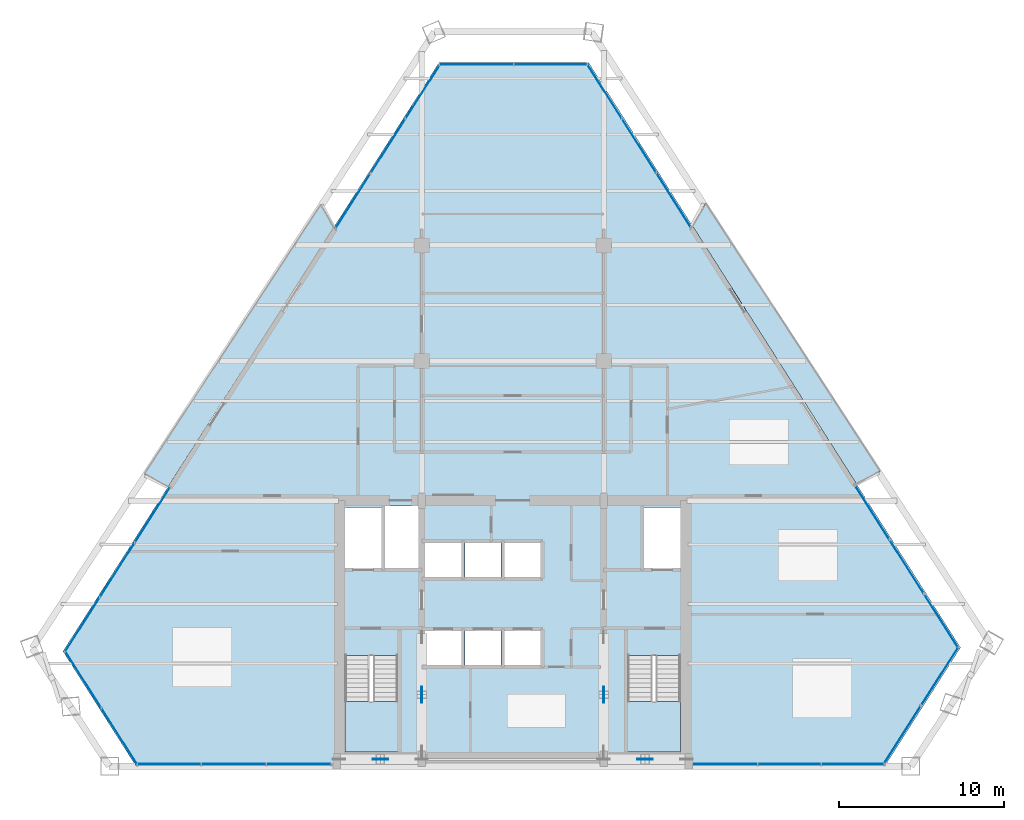
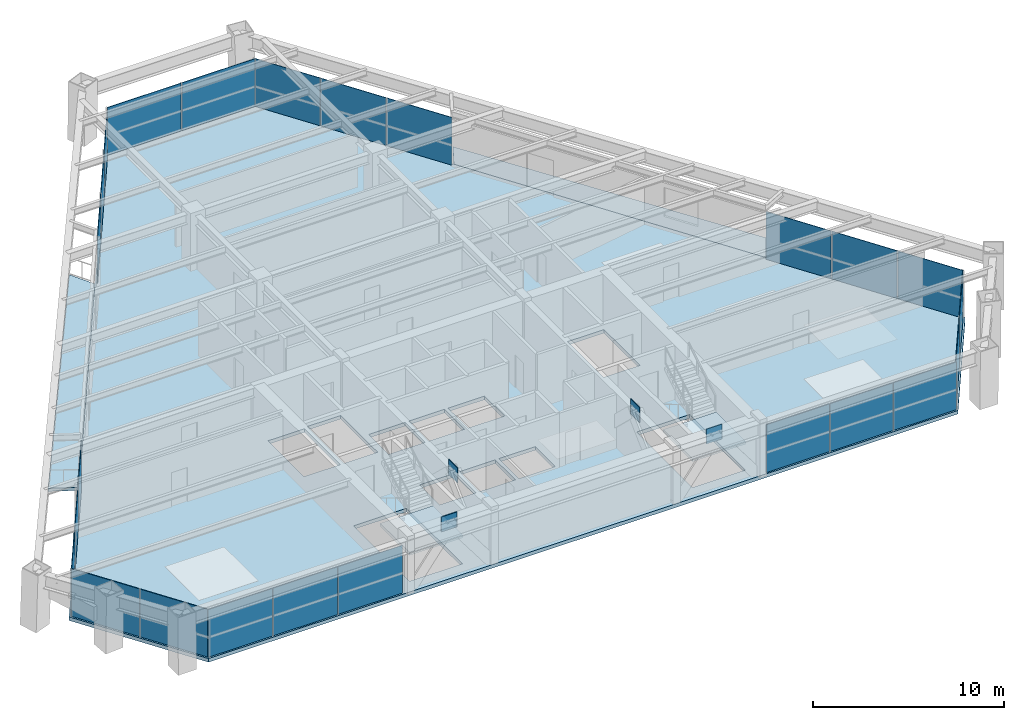
# One storey, part 10 of 15: 28 plates, 5 slabs, 11 elements without a shape of their own.
"""IFC4 building model written with IfcOpenShell, lengths in metres."""

from ifc_helpers import new_model, si_unit, direction, frame, origin, origin_2d, place, context, subcontext, project, spatial, polyline, rectangle, outline, extrude, source, transform, mapped, material, layer, layer_set, type_object, element, aggregate, save


model = new_model("IFC4")

# Units and contexts
model_context = context("Model", 3, precision=1e-05, world=origin(), true_north=direction((0.0, 1.0)))
body_context = subcontext(model_context, "Body", "Model", "MODEL_VIEW")
ifc_project = project(units=[si_unit("LENGTHUNIT", "METRE"), si_unit("AREAUNIT", "SQUARE_METRE"), si_unit("VOLUMEUNIT", "CUBIC_METRE"), si_unit("PLANEANGLEUNIT", "RADIAN"), si_unit("MASSUNIT", "GRAM", prefix="KILO")], contexts=[model_context])

# Site, building, storey
site_placement = place(None, origin())
site = spatial("IfcSite", under=ifc_project, at=site_placement, CompositionType="ELEMENT")
building_placement = place(site_placement, origin())
building = spatial("IfcBuilding", under=site, at=building_placement, Name="Varnakhor Terracotta Tower", CompositionType="ELEMENT")
storey_placement = place(building_placement, frame((0.0, 0.0, 158.89990234375)))
storey = spatial("IfcBuildingStorey", under=building, at=storey_placement, Name="L40", CompositionType="ELEMENT", Elevation=158.89990234375)

# Stair, slab
ifc_material_1 = material(Name="Concrete C40/50", Category="concrete")
stair_type = type_object("IfcStairType", Name="STR-CORE-OFFICE-1500", PredefinedType="HALF_TURN_STAIR", material=ifc_material_1)
stair_1_placement = place(storey_placement, origin())
stair_1 = element("IfcStair", 1, at=stair_1_placement, inside=storey, type_object=stair_type, Name="L40 Core Exit Stair ST-1", PredefinedType="HALF_TURN_STAIR")
ifc_layer_1 = layer(ifc_material_1, 0.179931640625, Name="Concrete C40/50")
ifc_layer_set_1 = layer_set([ifc_layer_1], Name="Concrete C40/50")
slab_type_1 = type_object("IfcSlabType", Name="SLB-LANDING-180", PredefinedType="LANDING", material=ifc_layer_set_1)
slab_1_placement = place(storey_placement, frame((0.0, 0.0, 1.650146484375)))
slab_1 = element("IfcSlab", 2, at=slab_1_placement, type_object=slab_type_1, Name="ST-1 landing 1", PredefinedType="LANDING", context=body_context, shape_type="SweptSolid", body=[
    extrude(outline(polyline([(-10.14990234375, 3.909912109375), (-10.14990234375, 0.85009765625), (-6.949951171875, 0.85009765625), (-6.949951171875, 3.909912109375), (-10.14990234375, 3.909912109375)])), origin(), (0.0, 0.0, 1.0), 0.199951171875),
])
aggregate(stair_1, [slab_1])

stair_2_placement = place(storey_placement, origin())
stair_2 = element("IfcStair", 3, at=stair_2_placement, inside=storey, type_object=stair_type, Name="L40 Core Exit Stair ST-2", PredefinedType="HALF_TURN_STAIR")
slab_2_placement = place(storey_placement, frame((0.0, 0.0, 1.650146484375)))
slab_2 = element("IfcSlab", 4, at=slab_2_placement, type_object=slab_type_1, Name="ST-2 landing 1", PredefinedType="LANDING", context=body_context, shape_type="SweptSolid", body=[
    extrude(outline(polyline([(6.949951171875, 3.909912109375), (6.949951171875, 0.85009765625), (10.14990234375, 0.85009765625), (10.14990234375, 3.909912109375), (6.949951171875, 3.909912109375)])), origin(), (0.0, 0.0, 1.0), 0.199951171875),
])
aggregate(stair_2, [slab_2])

# Slabs
ifc_layer_2 = layer(ifc_material_1, 0.195068359375, Name="Concrete C40/50")
ifc_layer_set_2 = layer_set([ifc_layer_2], Name="Concrete C40/50")
slab_type_2 = type_object("IfcSlabType", Name="SLB-LOGGIA-EXT-195", PredefinedType="FLOOR", material=ifc_layer_set_2)
slab_3_placement = place(storey_placement, frame((0.0, 0.0, -0.19482421875)))
element("IfcSlab", 5, at=slab_3_placement, inside=storey, type_object=slab_type_2, Name="L40 E Recessed Outdoor Loggia Slab", PredefinedType="FLOOR", context=body_context, shape_type="SweptSolid", body=[
    extrude(outline(polyline([(11.6455078125, 34.05712890625), (22.228759765625, 17.818115234375), (20.785400390625, 17.078857421875), (10.8916015625, 32.643798828125), (11.6455078125, 34.05712890625)])), origin(), (0.0, 0.0, 1.0), 0.19482421875),
])
slab_4_placement = place(storey_placement, frame((0.0, 0.0, -0.19482421875)))
element("IfcSlab", 6, at=slab_4_placement, inside=storey, type_object=slab_type_2, Name="L40 W Recessed Outdoor Loggia Slab", PredefinedType="FLOOR", context=body_context, shape_type="SweptSolid", body=[
    extrude(outline(polyline([(-22.2861328125, 17.649658203125), (-11.58740234375, 33.99169921875), (-10.830810546875, 32.5810546875), (-20.835693359375, 16.917236328125), (-22.2861328125, 17.649658203125)])), origin(), (0.0, 0.0, 1.0), 0.19482421875),
])
ifc_layer_3 = layer(ifc_material_1, 0.22998046875, Name="Concrete C40/50")
ifc_layer_set_3 = layer_set([ifc_layer_3], Name="Concrete C40/50")
slab_type_3 = type_object("IfcSlabType", Name="SLB-OFF-230", PredefinedType="FLOOR", material=ifc_layer_set_3)
slab_5_placement = place(storey_placement, frame((0.0, 0.0, -0.22998046875)))
element("IfcSlab", 7, at=slab_5_placement, inside=storey, type_object=slab_type_3, Name="L40 Structural Floor Slab", PredefinedType="FLOOR", context=body_context, shape_type="SweptSolid", body=[
    extrude(outline(polyline([(-27.202392578125, 6.94921875), (-4.464111328125, 42.548828125), (4.595703125, 42.548828125), (27.081298828125, 7.173583984375), (22.499267578125, 0.0), (-22.785400390625, 0.0), (-27.202392578125, 6.94921875)]), holes=[polyline([(-6.949951171875, 0.85009765625), (-6.949951171875, 6.695068359375), (-10.14990234375, 6.695068359375), (-10.14990234375, 0.85009765625), (-6.949951171875, 0.85009765625)]), polyline([(-3.10009765625, 6.10009765625), (-3.10009765625, 8.199951171875), (-5.300048828125, 8.199951171875), (-5.300048828125, 6.10009765625), (-3.10009765625, 6.10009765625)]), polyline([(-0.719970703125, 6.10009765625), (-0.719970703125, 8.199951171875), (-2.8798828125, 8.199951171875), (-2.8798828125, 6.10009765625), (-0.719970703125, 6.10009765625)]), polyline([(-5.300048828125, 11.419921875), (-3.10009765625, 11.419921875), (-3.10009765625, 13.52001953125), (-5.300048828125, 13.52001953125), (-5.300048828125, 11.419921875)]), polyline([(-10.14990234375, 11.8798828125), (-7.949951171875, 11.8798828125), (-7.949951171875, 15.64990234375), (-10.14990234375, 15.64990234375), (-10.14990234375, 11.8798828125)]), polyline([(-5.699951171875, 11.8798828125), (-5.699951171875, 15.75), (-7.72998046875, 15.75), (-7.72998046875, 11.8798828125), (-5.699951171875, 11.8798828125)]), polyline([(6.949951171875, 0.85009765625), (10.14990234375, 0.85009765625), (10.14990234375, 6.695068359375), (6.949951171875, 6.695068359375), (6.949951171875, 0.85009765625)]), polyline([(-0.5, 6.10009765625), (1.699951171875, 6.10009765625), (1.699951171875, 8.199951171875), (-0.5, 8.199951171875), (-0.5, 6.10009765625)]), polyline([(-0.719970703125, 11.419921875), (-0.719970703125, 13.52001953125), (-2.8798828125, 13.52001953125), (-2.8798828125, 11.419921875), (-0.719970703125, 11.419921875)]), polyline([(-0.5, 11.419921875), (1.699951171875, 11.419921875), (1.699951171875, 13.52001953125), (-0.5, 13.52001953125), (-0.5, 11.419921875)]), polyline([(7.949951171875, 11.8798828125), (10.14990234375, 11.8798828125), (10.14990234375, 15.64990234375), (7.949951171875, 15.64990234375), (7.949951171875, 11.8798828125)])]), origin(), (0.0, 0.0, 1.0), 0.22998046875),
])

# Plates
ifc_material_2 = material(Name="Steel S460", Category="steel")
ifc_layer_4 = layer(ifc_material_2, 0.050048828125, Name="Steel S460")
ifc_layer_set_4 = layer_set([ifc_layer_4], Name="Steel S460")
plate_type_1 = type_object("IfcPlateType", Name="PLT-GUSSET-50", PredefinedType="USERDEFINED", material=ifc_layer_set_4)
shared_shape_1 = source(origin(), body_context, "Body", "SweptSolid", [
    extrude(rectangle(XDim=0.949951171875, YDim=0.044921875, at=origin_2d()), origin(), (0.0, 0.0, 1.0), 0.949951171875),
])
for number, where, z_axis, x_axis, name in (
    (8, (-8.0, 0.419921875, 2.84521484375), (0.0, 0.0, 1.0), (1.0, 0.0, 0.0), "L40 Core Brace Apex Gusset CSW"),
    (9, (8.0, 0.419921875, 2.84521484375), (0.0, 0.0, 1.0), (1.0, 0.0, 0.0), "L40 Core Brace Apex Gusset CSE"),
    (10, (-5.5, 4.324951171875, 2.84521484375), (0.0, 0.0, 1.0), (0.0, 1.0, 0.0), "L40 Core Brace Apex Gusset CWW"),
    (11, (5.5, 4.324951171875, 2.84521484375), (0.0, 0.0, 1.0), (0.0, 1.0, 0.0), "L40 Core Brace Apex Gusset CWE"),
):
    element("IfcPlate", number, at=place(storey_placement, frame(where, z_axis=z_axis, x_axis=x_axis)), inside=storey, type_object=plate_type_1, Name=name, ObjectType="GUSSET PLATE", PredefinedType="USERDEFINED", context=body_context, shape_type="MappedRepresentation", body=[
        mapped(shared_shape_1, transform((0.0, 0.0, 0.0), scale=1.0)),
    ])

# Curtain wall, plates
ifc_material_3 = material(Name="Anodised Aluminium Curtain Wall System", Category="aluminium")
curtain_wall_type = type_object("IfcCurtainWallType", Name="CW-SYS-MID-OFFICE", PredefinedType="NOTDEFINED", material=ifc_material_3)
curtain_wall_1_placement = place(storey_placement, origin())
curtain_wall_1 = element("IfcCurtainWall", 12, at=curtain_wall_1_placement, inside=storey, type_object=curtain_wall_type, Name="L40 South Wing Curtain Wall SSE", PredefinedType="NOTDEFINED")
ifc_material_4 = material(Name="Solar-Control Low-E Insulated Glass Panel", Category="glass")
ifc_layer_5 = layer(ifc_material_4, 0.035888671875, Name="Solar-Control Low-E Insulated Glass Panel")
ifc_layer_set_5 = layer_set([ifc_layer_5], Name="Solar-Control Low-E Insulated Glass Panel")
plate_type_2 = type_object("IfcPlateType", Name="CWP-03", PredefinedType="CURTAIN_PANEL", material=ifc_layer_set_5)
shared_shape_2 = source(origin(), body_context, "Body", "SweptSolid", [
    extrude(rectangle(XDim=3.7998046875, YDim=0.035888671875, at=origin_2d()), origin(), (0.0, 0.0, 1.0), 3.050048828125),
])
plate_1_placement = place(storey_placement, frame((20.5693359375, 0.1201171875, 0.0), z_axis=(0.0, 0.0, 1.0), x_axis=(-1.0, 0.0, 0.0)))
plate_1 = element("IfcPlate", 13, at=plate_1_placement, type_object=plate_type_2, Name="L40 South Wing Curtain Wall SSE Glazed Panel 1", PredefinedType="CURTAIN_PANEL", context=body_context, shape_type="MappedRepresentation", body=[
    mapped(shared_shape_2, transform((0.0, 0.0, 0.0), scale=1.0)),
])
plate_2_placement = place(storey_placement, frame((16.7294921875, 0.1201171875, 0.0), z_axis=(0.0, 0.0, 1.0), x_axis=(-1.0, 0.0, 0.0)))
plate_2 = element("IfcPlate", 14, at=plate_2_placement, type_object=plate_type_2, Name="L40 South Wing Curtain Wall SSE Glazed Panel 2", PredefinedType="CURTAIN_PANEL", context=body_context, shape_type="MappedRepresentation", body=[
    mapped(shared_shape_2, transform((0.0, 0.0, 0.0), scale=1.0)),
])
plate_3_placement = place(storey_placement, frame((12.889892578125, 0.1201171875, 0.0), z_axis=(0.0, 0.0, 1.0), x_axis=(-1.0, 0.0, 0.0)))
plate_3 = element("IfcPlate", 15, at=plate_3_placement, type_object=plate_type_2, Name="L40 South Wing Curtain Wall SSE Glazed Panel 3", PredefinedType="CURTAIN_PANEL", context=body_context, shape_type="MappedRepresentation", body=[
    mapped(shared_shape_2, transform((0.0, 0.0, 0.0), scale=1.0)),
])
aggregate(curtain_wall_1, [plate_1, plate_2, plate_3])

curtain_wall_2_placement = place(storey_placement, origin())
curtain_wall_2 = element("IfcCurtainWall", 16, at=curtain_wall_2_placement, inside=storey, type_object=curtain_wall_type, Name="L40 W Facet Curtain Wall 1", PredefinedType="NOTDEFINED")
shared_shape_3 = source(origin(), body_context, "Body", "SweptSolid", [
    extrude(rectangle(XDim=3.882568359375, YDim=0.035888671875, at=origin_2d()), origin(), (0.0, 0.0, 1.0), 3.050048828125),
])
plate_4_placement = place(storey_placement, frame((-26.029541015625, 8.56298828125, 0.0), z_axis=(0.0, 0.0, 1.0), x_axis=(0.538300186823, 0.842753171971, 0.0)))
plate_4 = element("IfcPlate", 17, at=plate_4_placement, type_object=plate_type_2, Name="L40 W Facet Curtain Wall 1 Glazed Panel 1", PredefinedType="CURTAIN_PANEL", context=body_context, shape_type="MappedRepresentation", body=[
    mapped(shared_shape_3, transform((0.0, 0.0, 0.0), scale=1.0)),
])
plate_5_placement = place(storey_placement, frame((-23.91796875, 11.86865234375, 0.0), z_axis=(0.0, 0.0, 1.0), x_axis=(0.538300186823, 0.842753171971, 0.0)))
plate_5 = element("IfcPlate", 18, at=plate_5_placement, type_object=plate_type_2, Name="L40 W Facet Curtain Wall 1 Glazed Panel 2", PredefinedType="CURTAIN_PANEL", context=body_context, shape_type="MappedRepresentation", body=[
    mapped(shared_shape_3, transform((0.0, 0.0, 0.0), scale=1.0)),
])
plate_6_placement = place(storey_placement, frame((-21.806396484375, 15.17431640625, 0.0), z_axis=(0.0, 0.0, 1.0), x_axis=(0.538300186823, 0.842753171971, 0.0)))
plate_6 = element("IfcPlate", 19, at=plate_6_placement, type_object=plate_type_2, Name="L40 W Facet Curtain Wall 1 Glazed Panel 3", PredefinedType="CURTAIN_PANEL", context=body_context, shape_type="MappedRepresentation", body=[
    mapped(shared_shape_3, transform((0.0, 0.0, 0.0), scale=1.0)),
])
aggregate(curtain_wall_2, [plate_4, plate_5, plate_6])

curtain_wall_3_placement = place(storey_placement, origin())
curtain_wall_3 = element("IfcCurtainWall", 20, at=curtain_wall_3_placement, inside=storey, type_object=curtain_wall_type, Name="L40 W Facet Curtain Wall 2", PredefinedType="NOTDEFINED")
plate_7_placement = place(storey_placement, frame((-9.65771484375, 34.194580078125, 0.0), z_axis=(0.0, 0.0, 1.0), x_axis=(0.538300186823, 0.842753171971, 0.0)))
plate_7 = element("IfcPlate", 21, at=plate_7_placement, type_object=plate_type_2, Name="L40 W Facet Curtain Wall 2 Glazed Panel 1", PredefinedType="CURTAIN_PANEL", context=body_context, shape_type="MappedRepresentation", body=[
    mapped(shared_shape_3, transform((0.0, 0.0, 0.0), scale=1.0)),
])
plate_8_placement = place(storey_placement, frame((-7.54638671875, 37.500244140625, 0.0), z_axis=(0.0, 0.0, 1.0), x_axis=(0.538300186823, 0.842753171971, 0.0)))
plate_8 = element("IfcPlate", 22, at=plate_8_placement, type_object=plate_type_2, Name="L40 W Facet Curtain Wall 2 Glazed Panel 2", PredefinedType="CURTAIN_PANEL", context=body_context, shape_type="MappedRepresentation", body=[
    mapped(shared_shape_3, transform((0.0, 0.0, 0.0), scale=1.0)),
])
plate_9_placement = place(storey_placement, frame((-5.434814453125, 40.80615234375, 0.0), z_axis=(0.0, 0.0, 1.0), x_axis=(0.538300186823, 0.842753171971, 0.0)))
plate_9 = element("IfcPlate", 23, at=plate_9_placement, type_object=plate_type_2, Name="L40 W Facet Curtain Wall 2 Glazed Panel 3", PredefinedType="CURTAIN_PANEL", context=body_context, shape_type="MappedRepresentation", body=[
    mapped(shared_shape_3, transform((0.0, 0.0, 0.0), scale=1.0)),
])
aggregate(curtain_wall_3, [plate_7, plate_8, plate_9])

curtain_wall_4_placement = place(storey_placement, origin())
curtain_wall_4 = element("IfcCurtainWall", 24, at=curtain_wall_4_placement, inside=storey, type_object=curtain_wall_type, Name="L40 Facet Curtain Wall 2", PredefinedType="NOTDEFINED")
shared_shape_4 = source(origin(), body_context, "Body", "SweptSolid", [
    extrude(rectangle(XDim=4.4599609375, YDim=0.035888671875, at=origin_2d()), origin(), (0.0, 0.0, 1.0), 3.050048828125),
])
plate_10_placement = place(storey_placement, frame((-2.18408203125, 42.428955078125, 0.0), z_axis=(0.0, 0.0, 1.0), x_axis=(1.0, 0.0, 0.0)))
plate_10 = element("IfcPlate", 25, at=plate_10_placement, type_object=plate_type_2, Name="L40 Facet Curtain Wall 2 Glazed Panel 1", PredefinedType="CURTAIN_PANEL", context=body_context, shape_type="MappedRepresentation", body=[
    mapped(shared_shape_4, transform((0.0, 0.0, 0.0), scale=1.0)),
])
shared_shape_5 = source(origin(), body_context, "Body", "SweptSolid", [
    extrude(rectangle(XDim=4.459716796875, YDim=0.035888671875, at=origin_2d()), origin(), (0.0, 0.0, 1.0), 3.050048828125),
])
plate_11_placement = place(storey_placement, frame((2.31591796875, 42.428955078125, 0.0), z_axis=(0.0, 0.0, 1.0), x_axis=(1.0, 0.0, 0.0)))
plate_11 = element("IfcPlate", 26, at=plate_11_placement, type_object=plate_type_2, Name="L40 Facet Curtain Wall 2 Glazed Panel 2", PredefinedType="CURTAIN_PANEL", context=body_context, shape_type="MappedRepresentation", body=[
    mapped(shared_shape_5, transform((0.0, 0.0, 0.0), scale=1.0)),
])
aggregate(curtain_wall_4, [plate_10, plate_11])

curtain_wall_5_placement = place(storey_placement, origin())
curtain_wall_5 = element("IfcCurtainWall", 27, at=curtain_wall_5_placement, inside=storey, type_object=curtain_wall_type, Name="L40 E Facet Curtain Wall 1", PredefinedType="NOTDEFINED")
shared_shape_6 = source(origin(), body_context, "Body", "SweptSolid", [
    extrude(rectangle(XDim=3.852294921875, YDim=0.035888671875, at=origin_2d()), origin(), (0.0, 0.0, 1.0), 3.050048828125),
])
plate_12_placement = place(storey_placement, frame((5.554443359375, 40.81689453125, 0.0), z_axis=(0.0, 0.0, 1.0), x_axis=(0.536430846132, -0.843944279747, 0.0)))
plate_12 = element("IfcPlate", 28, at=plate_12_placement, type_object=plate_type_2, Name="L40 E Facet Curtain Wall 1 Glazed Panel 1", PredefinedType="CURTAIN_PANEL", context=body_context, shape_type="MappedRepresentation", body=[
    mapped(shared_shape_6, transform((0.0, 0.0, 0.0), scale=1.0)),
])
plate_13_placement = place(storey_placement, frame((7.642333984375, 37.531982421875, 0.0), z_axis=(0.0, 0.0, 1.0), x_axis=(0.536430846132, -0.843944279747, 0.0)))
plate_13 = element("IfcPlate", 29, at=plate_13_placement, type_object=plate_type_2, Name="L40 E Facet Curtain Wall 1 Glazed Panel 2", PredefinedType="CURTAIN_PANEL", context=body_context, shape_type="MappedRepresentation", body=[
    mapped(shared_shape_6, transform((0.0, 0.0, 0.0), scale=1.0)),
])
plate_14_placement = place(storey_placement, frame((9.73046875, 34.247314453125, 0.0), z_axis=(0.0, 0.0, 1.0), x_axis=(0.536430846132, -0.843944279747, 0.0)))
plate_14 = element("IfcPlate", 30, at=plate_14_placement, type_object=plate_type_2, Name="L40 E Facet Curtain Wall 1 Glazed Panel 3", PredefinedType="CURTAIN_PANEL", context=body_context, shape_type="MappedRepresentation", body=[
    mapped(shared_shape_6, transform((0.0, 0.0, 0.0), scale=1.0)),
])
aggregate(curtain_wall_5, [plate_12, plate_13, plate_14])

curtain_wall_6_placement = place(storey_placement, origin())
curtain_wall_6 = element("IfcCurtainWall", 31, at=curtain_wall_6_placement, inside=storey, type_object=curtain_wall_type, Name="L40 E Facet Curtain Wall 2", PredefinedType="NOTDEFINED")
plate_15_placement = place(storey_placement, frame((21.744140625, 15.3466796875, 0.0), z_axis=(0.0, 0.0, 1.0), x_axis=(0.536430846132, -0.843944279747, 0.0)))
plate_15 = element("IfcPlate", 32, at=plate_15_placement, type_object=plate_type_2, Name="L40 E Facet Curtain Wall 2 Glazed Panel 1", PredefinedType="CURTAIN_PANEL", context=body_context, shape_type="MappedRepresentation", body=[
    mapped(shared_shape_6, transform((0.0, 0.0, 0.0), scale=1.0)),
])
plate_16_placement = place(storey_placement, frame((23.83203125, 12.06201171875, 0.0), z_axis=(0.0, 0.0, 1.0), x_axis=(0.536430846132, -0.843944279747, 0.0)))
plate_16 = element("IfcPlate", 33, at=plate_16_placement, type_object=plate_type_2, Name="L40 E Facet Curtain Wall 2 Glazed Panel 2", PredefinedType="CURTAIN_PANEL", context=body_context, shape_type="MappedRepresentation", body=[
    mapped(shared_shape_6, transform((0.0, 0.0, 0.0), scale=1.0)),
])
plate_17_placement = place(storey_placement, frame((25.919921875, 8.777099609375, 0.0), z_axis=(0.0, 0.0, 1.0), x_axis=(0.536430846132, -0.843944279747, 0.0)))
plate_17 = element("IfcPlate", 34, at=plate_17_placement, type_object=plate_type_2, Name="L40 E Facet Curtain Wall 2 Glazed Panel 3", PredefinedType="CURTAIN_PANEL", context=body_context, shape_type="MappedRepresentation", body=[
    mapped(shared_shape_6, transform((0.0, 0.0, 0.0), scale=1.0)),
])
aggregate(curtain_wall_6, [plate_15, plate_16, plate_17])

curtain_wall_7_placement = place(storey_placement, origin())
curtain_wall_7 = element("IfcCurtainWall", 35, at=curtain_wall_7_placement, inside=storey, type_object=curtain_wall_type, Name="L40 Facet Curtain Wall 4", PredefinedType="NOTDEFINED")
shared_shape_7 = source(origin(), body_context, "Body", "SweptSolid", [
    extrude(rectangle(XDim=4.18603515625, YDim=0.035888671875, at=origin_2d()), origin(), (0.0, 0.0, 1.0), 3.050048828125),
])
plate_18_placement = place(storey_placement, frame((25.82666015625, 5.43212890625, 0.0), z_axis=(0.0, 0.0, 1.0), x_axis=(-0.538285477923, -0.842762566953, 0.0)))
plate_18 = element("IfcPlate", 36, at=plate_18_placement, type_object=plate_type_2, Name="L40 Facet Curtain Wall 4 Glazed Panel 1", PredefinedType="CURTAIN_PANEL", context=body_context, shape_type="MappedRepresentation", body=[
    mapped(shared_shape_7, transform((0.0, 0.0, 0.0), scale=1.0)),
])
plate_19_placement = place(storey_placement, frame((23.5517578125, 1.87060546875, 0.0), z_axis=(0.0, 0.0, 1.0), x_axis=(-0.538285477923, -0.842762566953, 0.0)))
plate_19 = element("IfcPlate", 37, at=plate_19_placement, type_object=plate_type_2, Name="L40 Facet Curtain Wall 4 Glazed Panel 2", PredefinedType="CURTAIN_PANEL", context=body_context, shape_type="MappedRepresentation", body=[
    mapped(shared_shape_7, transform((0.0, 0.0, 0.0), scale=1.0)),
])
aggregate(curtain_wall_7, [plate_18, plate_19])

curtain_wall_8_placement = place(storey_placement, origin())
curtain_wall_8 = element("IfcCurtainWall", 38, at=curtain_wall_8_placement, inside=storey, type_object=curtain_wall_type, Name="L40 South Wing Curtain Wall SSW", PredefinedType="NOTDEFINED")
shared_shape_8 = source(origin(), body_context, "Body", "SweptSolid", [
    extrude(rectangle(XDim=3.89501953125, YDim=0.035888671875, at=origin_2d()), origin(), (0.0, 0.0, 1.0), 3.050048828125),
])
plate_20_placement = place(storey_placement, frame((-12.9375, 0.1201171875, 0.0), z_axis=(0.0, 0.0, 1.0), x_axis=(-1.0, 0.0, 0.0)))
plate_20 = element("IfcPlate", 39, at=plate_20_placement, type_object=plate_type_2, Name="L40 South Wing Curtain Wall SSW Glazed Panel 1", PredefinedType="CURTAIN_PANEL", context=body_context, shape_type="MappedRepresentation", body=[
    mapped(shared_shape_8, transform((0.0, 0.0, 0.0), scale=1.0)),
])
plate_21_placement = place(storey_placement, frame((-16.872802734375, 0.1201171875, 0.0), z_axis=(0.0, 0.0, 1.0), x_axis=(-1.0, 0.0, 0.0)))
plate_21 = element("IfcPlate", 40, at=plate_21_placement, type_object=plate_type_2, Name="L40 South Wing Curtain Wall SSW Glazed Panel 2", PredefinedType="CURTAIN_PANEL", context=body_context, shape_type="MappedRepresentation", body=[
    mapped(shared_shape_8, transform((0.0, 0.0, 0.0), scale=1.0)),
])
plate_22_placement = place(storey_placement, frame((-20.8076171875, 0.1201171875, 0.0), z_axis=(0.0, 0.0, 1.0), x_axis=(-1.0, 0.0, 0.0)))
plate_22 = element("IfcPlate", 41, at=plate_22_placement, type_object=plate_type_2, Name="L40 South Wing Curtain Wall SSW Glazed Panel 3", PredefinedType="CURTAIN_PANEL", context=body_context, shape_type="MappedRepresentation", body=[
    mapped(shared_shape_8, transform((0.0, 0.0, 0.0), scale=1.0)),
])
aggregate(curtain_wall_8, [plate_20, plate_21, plate_22])

curtain_wall_9_placement = place(storey_placement, origin())
curtain_wall_9 = element("IfcCurtainWall", 42, at=curtain_wall_9_placement, inside=storey, type_object=curtain_wall_type, Name="L40 Facet Curtain Wall 6", PredefinedType="NOTDEFINED")
shared_shape_9 = source(origin(), body_context, "Body", "SweptSolid", [
    extrude(rectangle(XDim=4.047119140625, YDim=0.035888671875, at=origin_2d()), origin(), (0.0, 0.0, 1.0), 3.050048828125),
])
plate_23_placement = place(storey_placement, frame((-23.79638671875, 1.814453125, 0.0), z_axis=(0.0, 0.0, 1.0), x_axis=(-0.536430846132, 0.843944279747, 0.0)))
plate_23 = element("IfcPlate", 43, at=plate_23_placement, type_object=plate_type_2, Name="L40 Facet Curtain Wall 6 Glazed Panel 1", PredefinedType="CURTAIN_PANEL", context=body_context, shape_type="MappedRepresentation", body=[
    mapped(shared_shape_9, transform((0.0, 0.0, 0.0), scale=1.0)),
])
plate_24_placement = place(storey_placement, frame((-25.98876953125, 5.263671875, 0.0), z_axis=(0.0, 0.0, 1.0), x_axis=(-0.536430846132, 0.843944279747, 0.0)))
plate_24 = element("IfcPlate", 44, at=plate_24_placement, type_object=plate_type_2, Name="L40 Facet Curtain Wall 6 Glazed Panel 2", PredefinedType="CURTAIN_PANEL", context=body_context, shape_type="MappedRepresentation", body=[
    mapped(shared_shape_9, transform((0.0, 0.0, 0.0), scale=1.0)),
])
aggregate(curtain_wall_9, [plate_23, plate_24])

save(model, "model.ifc")
